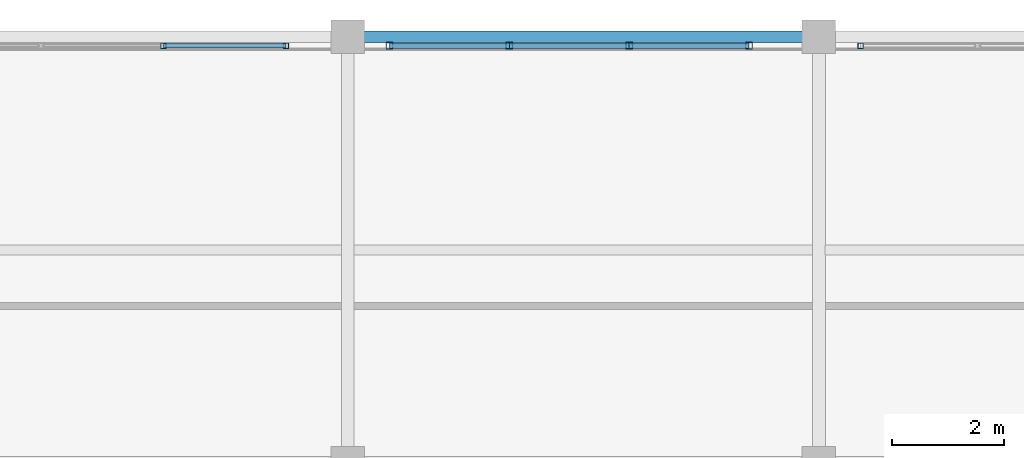
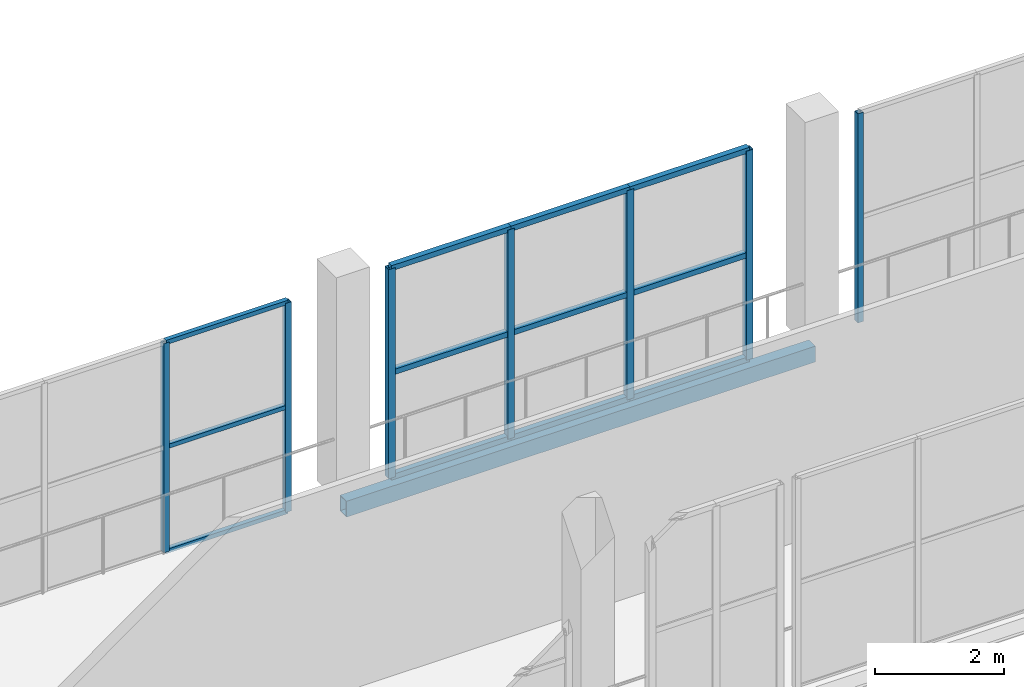
# One storey, part 79 of 151: 19 members, 1 beam, 3 elements without a shape of their own.
"""IFC4 building model written with IfcOpenShell, lengths in metres."""

from ifc_helpers import new_model, si_unit, direction, frame, origin, origin_2d, place, context, subcontext, project, spatial, hollow_rectangle, extrude, material, material_profile, profile_set, type_object, element, aggregate, save


model = new_model("IFC4")

# Units and contexts
model_context = context("Model", 3, precision=1e-05, world=origin(), true_north=direction((0.0, 1.0)))
body_context = subcontext(model_context, "Body", "Model", "MODEL_VIEW")
ifc_project = project(units=[si_unit("LENGTHUNIT", "METRE"), si_unit("AREAUNIT", "SQUARE_METRE"), si_unit("VOLUMEUNIT", "CUBIC_METRE"), si_unit("PLANEANGLEUNIT", "RADIAN"), si_unit("MASSUNIT", "GRAM", prefix="KILO")], contexts=[model_context])

# Site, building, storey
site_placement = place(None, origin())
site = spatial("IfcSite", under=ifc_project, at=site_placement, CompositionType="ELEMENT")
building_placement = place(site_placement, origin())
building = spatial("IfcBuilding", under=site, at=building_placement, Name="Zuvorla Pavilion Media Centre", CompositionType="ELEMENT")
storey_placement = place(building_placement, frame((0.0, 0.0, 13.800048828125)))
storey = spatial("IfcBuildingStorey", under=building, at=storey_placement, Name="L03", CompositionType="ELEMENT", Elevation=13.800048828125)

# Beam
ifc_material_1 = material(Name="Steel S355", Category="steel")
ifc_material_profile_1 = material_profile(ifc_material_1, hollow_rectangle(XDim=0.199951171875, YDim=0.300048828125, WallThickness=0.012451171875, at=origin_2d()), Name="RHS 300x200x12.5")
ifc_profile_set_1 = profile_set([ifc_material_profile_1], Name="Steel S355")
beam_type = type_object("IfcBeamType", Name="BM-SP-RHS300", PredefinedType="SPANDREL", material=ifc_profile_set_1)
beam_placement = place(storey_placement, frame((108.800048828125, 89.60009765625, -0.407958984375), z_axis=(1.0, 0.0, 0.0), x_axis=(0.0, 1.0, 0.0)))
element("IfcBeam", 1, at=beam_placement, inside=storey, type_object=beam_type, Name="L03 spandrel SP01 1141", PredefinedType="SPANDREL", context=body_context, shape_type="SweptSolid", body=[
    extrude(hollow_rectangle(XDim=0.199951171875, YDim=0.300048828125, WallThickness=0.012451171875, at=origin_2d()), origin(), (0.0, 0.0, 1.0), 8.39990234375),
])

# Curtain wall, member
ifc_material_2 = material(Name="Unitised anodised aluminium and solar glass curtain wall", Category="aluminium")
curtain_wall_type_1 = type_object("IfcCurtainWallType", Name="CW-SYS-62", PredefinedType="USERDEFINED", material=ifc_material_2)
curtain_wall_1_placement = place(storey_placement, origin())
curtain_wall_1 = element("IfcCurtainWall", 2, at=curtain_wall_1_placement, inside=storey, type_object=curtain_wall_type_1, Name="L03 curtain wall CW62 110", ObjectType="CURTAIN WALL", PredefinedType="USERDEFINED")
ifc_material_3 = material(Name="Anodised aluminium 6063-T6", Category="aluminium")
ifc_material_profile_2 = material_profile(ifc_material_3, hollow_rectangle(XDim=0.10009765625, YDim=0.10009765625, WallThickness=0.00439453125, at=origin_2d()), Name="ALU MULL 100x100")
ifc_profile_set_2 = profile_set([ifc_material_profile_2], Name="Anodised aluminium 6063-T6")
member_type_1 = type_object("IfcMemberType", Name="CW-MULL-100", PredefinedType="MULLION", material=ifc_profile_set_2)
member_1_placement = place(storey_placement, frame((117.9443359375, 89.43994140625, 0.0), z_axis=(0.0, 0.0, 1.0), x_axis=(1.0, 0.0, 0.0)))
member_1 = element("IfcMember", 3, at=member_1_placement, type_object=member_type_1, Name="CW62 mullion 4", PredefinedType="MULLION", context=body_context, shape_type="SweptSolid", body=[
    extrude(hollow_rectangle(XDim=0.10009765625, YDim=0.10009765625, WallThickness=0.00439453125, at=origin_2d()), origin(), (0.0, 0.0, 1.0), 3.9599609375),
])
aggregate(curtain_wall_1, [member_1])

# Curtain wall, members
curtain_wall_type_2 = type_object("IfcCurtainWallType", Name="CW-SYS-63", PredefinedType="USERDEFINED", material=ifc_material_2)
curtain_wall_2_placement = place(storey_placement, origin())
curtain_wall_2 = element("IfcCurtainWall", 4, at=curtain_wall_2_placement, inside=storey, type_object=curtain_wall_type_2, Name="L03 curtain wall CW63 112", ObjectType="CURTAIN WALL", PredefinedType="USERDEFINED")
member_2_placement = place(storey_placement, frame((107.697021484375, 89.43994140625, 0.0), z_axis=(0.0, 0.0, 1.0), x_axis=(1.0, 0.0, 0.0)))
member_2 = element("IfcMember", 5, at=member_2_placement, type_object=member_type_1, Name="CW63 mullion 1", PredefinedType="MULLION", context=body_context, shape_type="SweptSolid", body=[
    extrude(hollow_rectangle(XDim=0.10009765625, YDim=0.10009765625, WallThickness=0.00439453125, at=origin_2d()), origin(), (0.0, 0.0, 1.0), 3.9599609375),
])
member_3_placement = place(storey_placement, frame((105.512939453125, 89.43994140625, 0.0), z_axis=(0.0, 0.0, 1.0), x_axis=(1.0, 0.0, 0.0)))
member_3 = element("IfcMember", 6, at=member_3_placement, type_object=member_type_1, Name="CW63 mullion 2", PredefinedType="MULLION", context=body_context, shape_type="SweptSolid", body=[
    extrude(hollow_rectangle(XDim=0.10009765625, YDim=0.10009765625, WallThickness=0.00439453125, at=origin_2d()), origin(), (0.0, 0.0, 1.0), 3.9599609375),
])

curtain_wall_type_3 = type_object("IfcCurtainWallType", Name="CW-SYS-46", PredefinedType="USERDEFINED", material=ifc_material_2)
curtain_wall_3_placement = place(storey_placement, origin())
curtain_wall_3 = element("IfcCurtainWall", 7, at=curtain_wall_3_placement, inside=storey, type_object=curtain_wall_type_3, Name="L03 curtain wall CW46 111", ObjectType="CURTAIN WALL", PredefinedType="USERDEFINED")
ifc_material_profile_3 = material_profile(ifc_material_3, hollow_rectangle(XDim=0.1201171875, YDim=0.1201171875, WallThickness=0.0048828125, at=origin_2d()), Name="ALU MULL 120x120")
ifc_profile_set_3 = profile_set([ifc_material_profile_3], Name="Anodised aluminium 6063-T6")
member_type_2 = type_object("IfcMemberType", Name="CW-MULL-120", PredefinedType="MULLION", material=ifc_profile_set_3)
member_4_placement = place(storey_placement, frame((115.954345703125, 89.43994140625, 0.0), z_axis=(0.0, 0.0, 1.0), x_axis=(1.0, 0.0, 0.0)))
member_4 = element("IfcMember", 8, at=member_4_placement, type_object=member_type_2, Name="CW46 mullion 1", PredefinedType="MULLION", context=body_context, shape_type="SweptSolid", body=[
    extrude(hollow_rectangle(XDim=0.1201171875, YDim=0.1201171875, WallThickness=0.0048828125, at=origin_2d()), origin(), (0.0, 0.0, 1.0), 3.9599609375),
])
member_5_placement = place(storey_placement, frame((113.817626953125, 89.43994140625, 0.0), z_axis=(0.0, 0.0, 1.0), x_axis=(1.0, 0.0, 0.0)))
member_5 = element("IfcMember", 9, at=member_5_placement, type_object=member_type_2, Name="CW46 mullion 2", PredefinedType="MULLION", context=body_context, shape_type="SweptSolid", body=[
    extrude(hollow_rectangle(XDim=0.1201171875, YDim=0.1201171875, WallThickness=0.0048828125, at=origin_2d()), origin(), (0.0, 0.0, 1.0), 3.9599609375),
])
member_6_placement = place(storey_placement, frame((111.680908203125, 89.43994140625, 0.0), z_axis=(0.0, 0.0, 1.0), x_axis=(1.0, 0.0, 0.0)))
member_6 = element("IfcMember", 10, at=member_6_placement, type_object=member_type_2, Name="CW46 mullion 3", PredefinedType="MULLION", context=body_context, shape_type="SweptSolid", body=[
    extrude(hollow_rectangle(XDim=0.1201171875, YDim=0.1201171875, WallThickness=0.0048828125, at=origin_2d()), origin(), (0.0, 0.0, 1.0), 3.9599609375),
])
member_7_placement = place(storey_placement, frame((109.544189453125, 89.43994140625, 0.0), z_axis=(0.0, 0.0, 1.0), x_axis=(1.0, 0.0, 0.0)))
member_7 = element("IfcMember", 11, at=member_7_placement, type_object=member_type_2, Name="CW46 mullion 4", PredefinedType="MULLION", context=body_context, shape_type="SweptSolid", body=[
    extrude(hollow_rectangle(XDim=0.1201171875, YDim=0.1201171875, WallThickness=0.0048828125, at=origin_2d()), origin(), (0.0, 0.0, 1.0), 3.9599609375),
])
ifc_material_profile_4 = material_profile(ifc_material_3, hollow_rectangle(XDim=0.10009765625, YDim=0.10009765625, WallThickness=0.00439453125, at=origin_2d()), Name="ALU TRAN 100x100")
ifc_profile_set_4 = profile_set([ifc_material_profile_4], Name="Anodised aluminium 6063-T6")
member_type_3 = type_object("IfcMemberType", Name="CW-TRAN-100", PredefinedType="USERDEFINED", material=ifc_profile_set_4)
member_8_placement = place(storey_placement, frame((115.954345703125, 89.43994140625, 0.0), z_axis=(-1.0, 0.0, 0.0), x_axis=(0.0, -1.0, 0.0)))
member_8 = element("IfcMember", 12, at=member_8_placement, type_object=member_type_3, Name="CW46 transom 1.1", ObjectType="TRANSOM", PredefinedType="USERDEFINED", context=body_context, shape_type="SweptSolid", body=[
    extrude(hollow_rectangle(XDim=0.10009765625, YDim=0.10009765625, WallThickness=0.00439453125, at=origin_2d()), origin(), (0.0, 0.0, 1.0), 2.13671875),
])
member_9_placement = place(storey_placement, frame((115.954345703125, 89.43994140625, 1.97998046875), z_axis=(-1.0, 0.0, 0.0), x_axis=(0.0, -1.0, 0.0)))
member_9 = element("IfcMember", 13, at=member_9_placement, type_object=member_type_3, Name="CW46 transom 1.2", ObjectType="TRANSOM", PredefinedType="USERDEFINED", context=body_context, shape_type="SweptSolid", body=[
    extrude(hollow_rectangle(XDim=0.10009765625, YDim=0.10009765625, WallThickness=0.00439453125, at=origin_2d()), origin(), (0.0, 0.0, 1.0), 2.13671875),
])
member_10_placement = place(storey_placement, frame((115.954345703125, 89.43994140625, 3.9599609375), z_axis=(-1.0, 0.0, 0.0), x_axis=(0.0, -1.0, 0.0)))
member_10 = element("IfcMember", 14, at=member_10_placement, type_object=member_type_3, Name="CW46 transom 1.3", ObjectType="TRANSOM", PredefinedType="USERDEFINED", context=body_context, shape_type="SweptSolid", body=[
    extrude(hollow_rectangle(XDim=0.10009765625, YDim=0.10009765625, WallThickness=0.00439453125, at=origin_2d()), origin(), (0.0, 0.0, 1.0), 2.13671875),
])
member_11_placement = place(storey_placement, frame((113.817626953125, 89.43994140625, 0.0), z_axis=(-1.0, 0.0, 0.0), x_axis=(0.0, -1.0, 0.0)))
member_11 = element("IfcMember", 15, at=member_11_placement, type_object=member_type_3, Name="CW46 transom 2.1", ObjectType="TRANSOM", PredefinedType="USERDEFINED", context=body_context, shape_type="SweptSolid", body=[
    extrude(hollow_rectangle(XDim=0.10009765625, YDim=0.10009765625, WallThickness=0.00439453125, at=origin_2d()), origin(), (0.0, 0.0, 1.0), 2.13671875),
])
member_12_placement = place(storey_placement, frame((113.817626953125, 89.43994140625, 1.97998046875), z_axis=(-1.0, 0.0, 0.0), x_axis=(0.0, -1.0, 0.0)))
member_12 = element("IfcMember", 16, at=member_12_placement, type_object=member_type_3, Name="CW46 transom 2.2", ObjectType="TRANSOM", PredefinedType="USERDEFINED", context=body_context, shape_type="SweptSolid", body=[
    extrude(hollow_rectangle(XDim=0.10009765625, YDim=0.10009765625, WallThickness=0.00439453125, at=origin_2d()), origin(), (0.0, 0.0, 1.0), 2.13671875),
])
member_13_placement = place(storey_placement, frame((113.817626953125, 89.43994140625, 3.9599609375), z_axis=(-1.0, 0.0, 0.0), x_axis=(0.0, -1.0, 0.0)))
member_13 = element("IfcMember", 17, at=member_13_placement, type_object=member_type_3, Name="CW46 transom 2.3", ObjectType="TRANSOM", PredefinedType="USERDEFINED", context=body_context, shape_type="SweptSolid", body=[
    extrude(hollow_rectangle(XDim=0.10009765625, YDim=0.10009765625, WallThickness=0.00439453125, at=origin_2d()), origin(), (0.0, 0.0, 1.0), 2.13671875),
])
member_14_placement = place(storey_placement, frame((111.680908203125, 89.43994140625, 0.0), z_axis=(-1.0, 0.0, 0.0), x_axis=(0.0, -1.0, 0.0)))
member_14 = element("IfcMember", 18, at=member_14_placement, type_object=member_type_3, Name="CW46 transom 3.1", ObjectType="TRANSOM", PredefinedType="USERDEFINED", context=body_context, shape_type="SweptSolid", body=[
    extrude(hollow_rectangle(XDim=0.10009765625, YDim=0.10009765625, WallThickness=0.00439453125, at=origin_2d()), origin(), (0.0, 0.0, 1.0), 2.13671875),
])
member_15_placement = place(storey_placement, frame((111.680908203125, 89.43994140625, 1.97998046875), z_axis=(-1.0, 0.0, 0.0), x_axis=(0.0, -1.0, 0.0)))
member_15 = element("IfcMember", 19, at=member_15_placement, type_object=member_type_3, Name="CW46 transom 3.2", ObjectType="TRANSOM", PredefinedType="USERDEFINED", context=body_context, shape_type="SweptSolid", body=[
    extrude(hollow_rectangle(XDim=0.10009765625, YDim=0.10009765625, WallThickness=0.00439453125, at=origin_2d()), origin(), (0.0, 0.0, 1.0), 2.13671875),
])
member_16_placement = place(storey_placement, frame((111.680908203125, 89.43994140625, 3.9599609375), z_axis=(-1.0, 0.0, 0.0), x_axis=(0.0, -1.0, 0.0)))
member_16 = element("IfcMember", 20, at=member_16_placement, type_object=member_type_3, Name="CW46 transom 3.3", ObjectType="TRANSOM", PredefinedType="USERDEFINED", context=body_context, shape_type="SweptSolid", body=[
    extrude(hollow_rectangle(XDim=0.10009765625, YDim=0.10009765625, WallThickness=0.00439453125, at=origin_2d()), origin(), (0.0, 0.0, 1.0), 2.13671875),
])
aggregate(curtain_wall_3, [member_4, member_5, member_6, member_7, member_8, member_9, member_10, member_11, member_12, member_13, member_14, member_15, member_16])

# Member
ifc_material_profile_5 = material_profile(ifc_material_3, hollow_rectangle(XDim=0.080078125, YDim=0.080078125, WallThickness=0.00390625, at=origin_2d()), Name="ALU TRAN 80x80")
ifc_profile_set_5 = profile_set([ifc_material_profile_5], Name="Anodised aluminium 6063-T6")
member_type_4 = type_object("IfcMemberType", Name="CW-TRAN-80", PredefinedType="USERDEFINED", material=ifc_profile_set_5)
member_17_placement = place(storey_placement, frame((107.697021484375, 89.43994140625, 0.0), z_axis=(-1.0, 0.0, 0.0), x_axis=(0.0, -1.0, 0.0)))
member_17 = element("IfcMember", 21, at=member_17_placement, type_object=member_type_4, Name="CW63 transom 1.1", ObjectType="TRANSOM", PredefinedType="USERDEFINED", context=body_context, shape_type="SweptSolid", body=[
    extrude(hollow_rectangle(XDim=0.080078125, YDim=0.080078125, WallThickness=0.00390625, at=origin_2d()), origin(), (0.0, 0.0, 1.0), 2.18408203125),
])

member_18_placement = place(storey_placement, frame((107.697021484375, 89.43994140625, 1.97998046875), z_axis=(-1.0, 0.0, 0.0), x_axis=(0.0, -1.0, 0.0)))
member_18 = element("IfcMember", 22, at=member_18_placement, type_object=member_type_4, Name="CW63 transom 1.2", ObjectType="TRANSOM", PredefinedType="USERDEFINED", context=body_context, shape_type="SweptSolid", body=[
    extrude(hollow_rectangle(XDim=0.080078125, YDim=0.080078125, WallThickness=0.00390625, at=origin_2d()), origin(), (0.0, 0.0, 1.0), 2.18408203125),
])

member_19_placement = place(storey_placement, frame((107.697021484375, 89.43994140625, 3.9599609375), z_axis=(-1.0, 0.0, 0.0), x_axis=(0.0, -1.0, 0.0)))
member_19 = element("IfcMember", 23, at=member_19_placement, type_object=member_type_4, Name="CW63 transom 1.3", ObjectType="TRANSOM", PredefinedType="USERDEFINED", context=body_context, shape_type="SweptSolid", body=[
    extrude(hollow_rectangle(XDim=0.080078125, YDim=0.080078125, WallThickness=0.00390625, at=origin_2d()), origin(), (0.0, 0.0, 1.0), 2.18408203125),
])

aggregate(curtain_wall_2, [member_2, member_3, member_17, member_18, member_19])

save(model, "model.ifc")
